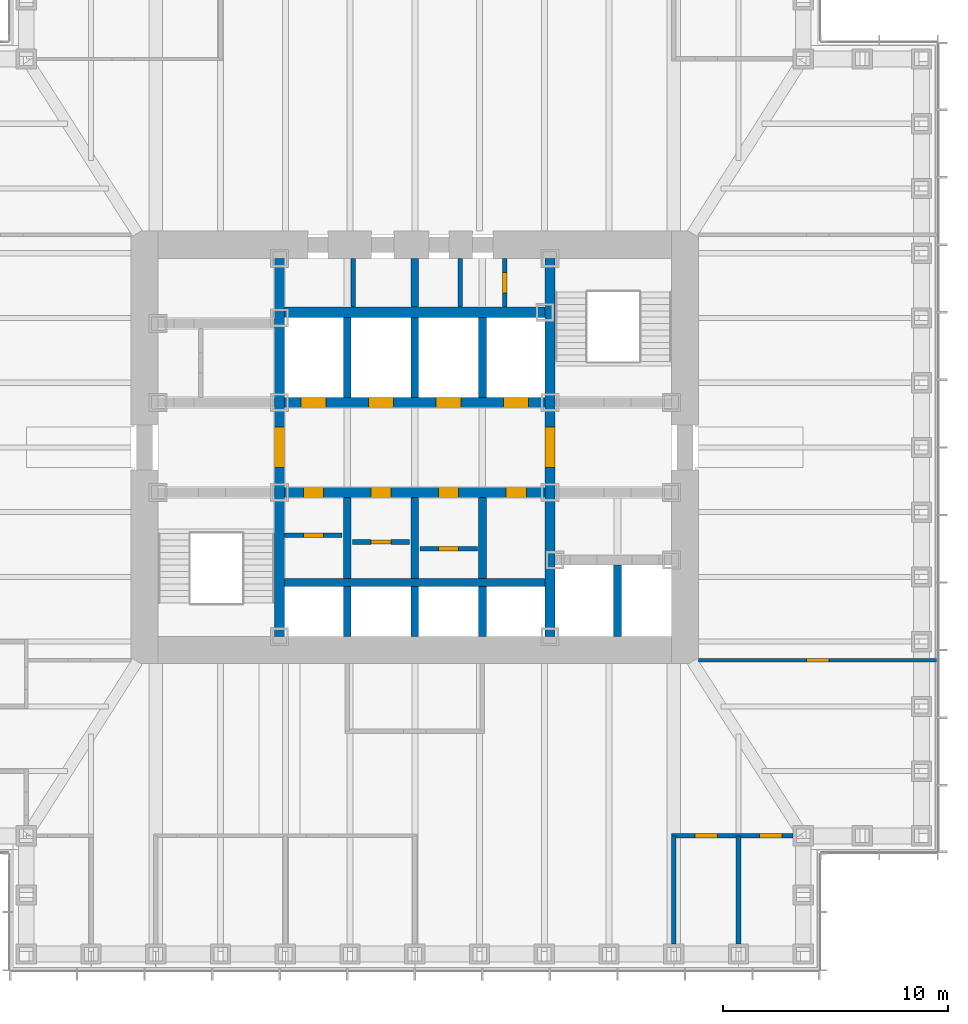
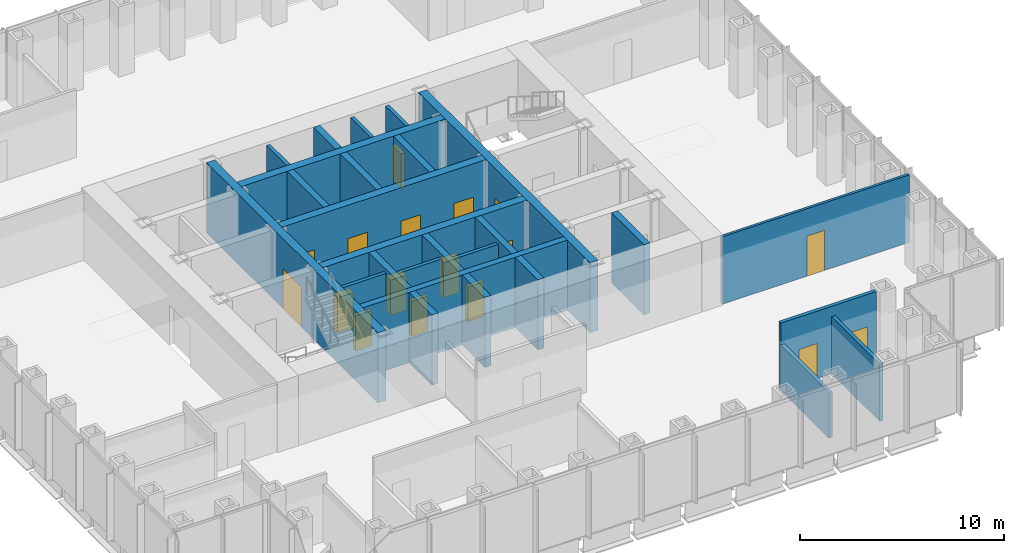
# One storey, part 9 of 16: 27 walls, 17 doors, 17 openings.
"""IFC4 building model written with IfcOpenShell, lengths in metres."""

from ifc_helpers import new_model, si_unit, direction, frame, frame_2d, origin, place, context, subcontext, project, spatial, rectangle, extrude, material, layer, layer_set, type_object, element, fill, save


model = new_model("IFC4")

# Units and contexts
model_context = context("Model", 3, precision=1e-05, world=origin(), true_north=direction((0.0, 1.0)))
body_context = subcontext(model_context, "Body", "Model", "MODEL_VIEW")
ifc_project = project(units=[si_unit("LENGTHUNIT", "METRE"), si_unit("AREAUNIT", "SQUARE_METRE"), si_unit("VOLUMEUNIT", "CUBIC_METRE"), si_unit("PLANEANGLEUNIT", "RADIAN"), si_unit("MASSUNIT", "GRAM", prefix="KILO")], contexts=[model_context])

# Site, building, storey
site_placement = place(None, origin())
site = spatial("IfcSite", under=ifc_project, at=site_placement, CompositionType="ELEMENT")
building_placement = place(site_placement, origin())
building = spatial("IfcBuilding", under=site, at=building_placement, Name="Daluyong Arena Tower", CompositionType="ELEMENT")
storey_placement = place(building_placement, frame((0.0, 0.0, 116.5)))
storey = spatial("IfcBuildingStorey", under=building, at=storey_placement, Name="L25", CompositionType="ELEMENT", Elevation=116.5)

# Wall, opening, door
ifc_material_1 = material(Name="Concrete fc' 45 MPa", Category="concrete")
ifc_layer_1 = layer(ifc_material_1, 0.449951171875)
ifc_layer_set_1 = layer_set([ifc_layer_1], Name="Concrete fc' 45 MPa")
wall_type_1 = type_object("IfcWallType", Name="Core inner wall 450", PredefinedType="SHEAR", material=ifc_layer_set_1)
wall_1_placement = place(storey_placement, frame((50.0, 71.60009765625, 0.0), z_axis=(0.0, 0.0, 1.0), x_axis=(0.0, 1.0, 0.0)))
wall_1 = element("IfcWall", 1, at=wall_1_placement, inside=storey, type_object=wall_type_1, Name="core inner wall at L25", PredefinedType="SHEAR", context=body_context, shape_type="SweptSolid", body=[
    extrude(rectangle(XDim=16.7998046875, YDim=0.449951171875, at=frame_2d((8.39990234375, 0.0))), origin(), (0.0, 0.0, 1.0), 4.199951171875),
])
opening_1_placement = place(wall_1_placement, frame((7.5, 0.0, 0.0)))
opening_1 = element("IfcOpeningElement", 2, at=opening_1_placement, cuts=wall_1, Name="Opening 25020", PredefinedType="OPENING", context=body_context, shape_type="SweptSolid", body=[
    extrude(rectangle(XDim=1.800048828125, YDim=2.39990234375, at=frame_2d((0.89990234375, 1.199951171875))), frame((0.0, 0.23486328125, 0.0), z_axis=(0.0, -1.0, 0.0), x_axis=(1.0, 0.0, 0.0)), (0.0, 0.0, 1.0), 0.469970703125),
])
ifc_material_2 = material(Name="Steel door, fire rated", Category="steel")
door_type_1 = type_object("IfcDoorType", Name="Lift lobby opening door 1800", OperationType="DOUBLE_DOOR_SINGLE_SWING", PredefinedType="DOOR", material=ifc_material_2)
door_1_placement = place(opening_1_placement, origin())
door_1 = element("IfcDoor", 3, at=door_1_placement, inside=storey, type_object=door_type_1, Name="lift lobby door west 25020", OperationType="DOUBLE_DOOR_SINGLE_SWING", OverallHeight=2.39990234375, OverallWidth=1.800048828125, PredefinedType="DOOR", context=body_context, shape_type="SweptSolid", body=[
    extrude(rectangle(XDim=1.800048828125, YDim=2.39990234375, at=frame_2d((0.89990234375, 1.199951171875))), frame((0.0, 0.224609375, 0.0), z_axis=(0.0, -1.0, 0.0), x_axis=(1.0, 0.0, 0.0)), (0.0, 0.0, 1.0), 0.449462890625),
])
fill(opening_1, door_1)

wall_2_placement = place(storey_placement, frame((62.0, 71.60009765625, 0.0), z_axis=(0.0, 0.0, 1.0), x_axis=(0.0, 1.0, 0.0)))
wall_2 = element("IfcWall", 4, at=wall_2_placement, inside=storey, type_object=wall_type_1, Name="core inner wall at L25", PredefinedType="SHEAR", context=body_context, shape_type="SweptSolid", body=[
    extrude(rectangle(XDim=16.7998046875, YDim=0.449951171875, at=frame_2d((8.39990234375, 0.0))), origin(), (0.0, 0.0, 1.0), 4.199951171875),
])
opening_2_placement = place(wall_2_placement, frame((7.5, 0.0, 0.0)))
opening_2 = element("IfcOpeningElement", 5, at=opening_2_placement, cuts=wall_2, Name="Opening 25021", PredefinedType="OPENING", context=body_context, shape_type="SweptSolid", body=[
    extrude(rectangle(XDim=1.800048828125, YDim=2.39990234375, at=frame_2d((0.89990234375, 1.199951171875))), frame((0.0, 0.23486328125, 0.0), z_axis=(0.0, -1.0, 0.0), x_axis=(1.0, 0.0, 0.0)), (0.0, 0.0, 1.0), 0.469970703125),
])
door_2_placement = place(opening_2_placement, origin())
door_2 = element("IfcDoor", 6, at=door_2_placement, inside=storey, type_object=door_type_1, Name="lift lobby door east 25021", OperationType="DOUBLE_DOOR_SINGLE_SWING", OverallHeight=2.39990234375, OverallWidth=1.800048828125, PredefinedType="DOOR", context=body_context, shape_type="SweptSolid", body=[
    extrude(rectangle(XDim=1.800048828125, YDim=2.39990234375, at=frame_2d((0.89990234375, 1.199951171875))), frame((0.0, 0.224609375, 0.0), z_axis=(0.0, -1.0, 0.0), x_axis=(1.0, 0.0, 0.0)), (0.0, 0.0, 1.0), 0.449462890625),
])
fill(opening_2, door_2)

# Wall, openings, doors
wall_3_placement = place(storey_placement, frame((50.22509765625, 78.0, 0.0), z_axis=(0.0, 0.0, 1.0), x_axis=(1.0, 0.0, 0.0)))
wall_3 = element("IfcWall", 7, at=wall_3_placement, inside=storey, type_object=wall_type_1, Name="core inner wall at L25", PredefinedType="SHEAR", context=body_context, shape_type="SweptSolid", body=[
    extrude(rectangle(XDim=11.5498046875, YDim=0.449951171875, at=frame_2d((5.77490234375, 0.0))), origin(), (0.0, 0.0, 1.0), 4.199951171875),
])
opening_3_placement = place(wall_3_placement, frame((0.824951171875, 0.0, 0.0)))
opening_3 = element("IfcOpeningElement", 8, at=opening_3_placement, cuts=wall_3, Name="Opening 25009", PredefinedType="OPENING", context=body_context, shape_type="SweptSolid", body=[
    extrude(rectangle(XDim=0.89990234375, YDim=2.10009765625, at=frame_2d((0.449951171875, 1.050048828125))), frame((0.0, 0.23486328125, 0.0), z_axis=(0.0, -1.0, 0.0), x_axis=(1.0, 0.0, 0.0)), (0.0, 0.0, 1.0), 0.469970703125),
])
opening_4_placement = place(wall_3_placement, frame((3.824951171875, 0.0, 0.0)))
opening_4 = element("IfcOpeningElement", 9, at=opening_4_placement, cuts=wall_3, Name="Opening 25011", PredefinedType="OPENING", context=body_context, shape_type="SweptSolid", body=[
    extrude(rectangle(XDim=0.89990234375, YDim=2.10009765625, at=frame_2d((0.449951171875, 1.050048828125))), frame((0.0, 0.23486328125, 0.0), z_axis=(0.0, -1.0, 0.0), x_axis=(1.0, 0.0, 0.0)), (0.0, 0.0, 1.0), 0.469970703125),
])
opening_5_placement = place(wall_3_placement, frame((6.824951171875, 0.0, 0.0)))
opening_5 = element("IfcOpeningElement", 10, at=opening_5_placement, cuts=wall_3, Name="Opening 25013", PredefinedType="OPENING", context=body_context, shape_type="SweptSolid", body=[
    extrude(rectangle(XDim=0.89990234375, YDim=2.10009765625, at=frame_2d((0.449951171875, 1.050048828125))), frame((0.0, 0.23486328125, 0.0), z_axis=(0.0, -1.0, 0.0), x_axis=(1.0, 0.0, 0.0)), (0.0, 0.0, 1.0), 0.469970703125),
])
opening_6_placement = place(wall_3_placement, frame((9.824951171875, 0.0, 0.0)))
opening_6 = element("IfcOpeningElement", 11, at=opening_6_placement, cuts=wall_3, Name="Opening 25015", PredefinedType="OPENING", context=body_context, shape_type="SweptSolid", body=[
    extrude(rectangle(XDim=0.89990234375, YDim=2.10009765625, at=frame_2d((0.449951171875, 1.050048828125))), frame((0.0, 0.23486328125, 0.0), z_axis=(0.0, -1.0, 0.0), x_axis=(1.0, 0.0, 0.0)), (0.0, 0.0, 1.0), 0.469970703125),
])
ifc_material_3 = material(Name="Steel door, fire rated", Category="steel")
door_type_2 = type_object("IfcDoorType", Name="Core room door 900", OperationType="SINGLE_SWING_LEFT", PredefinedType="DOOR", material=ifc_material_3)
door_3_placement = place(opening_6_placement, origin())
door_3 = element("IfcDoor", 12, at=door_3_placement, inside=storey, type_object=door_type_2, Name="print room door 25015", OperationType="SINGLE_SWING_LEFT", OverallHeight=2.10009765625, OverallWidth=0.89990234375, PredefinedType="DOOR", context=body_context, shape_type="SweptSolid", body=[
    extrude(rectangle(XDim=0.89990234375, YDim=2.10009765625, at=frame_2d((0.449951171875, 1.050048828125))), frame((0.0, 0.224609375, 0.0), z_axis=(0.0, -1.0, 0.0), x_axis=(1.0, 0.0, 0.0)), (0.0, 0.0, 1.0), 0.449462890625),
])
fill(opening_6, door_3)
ifc_material_4 = material(Name="Steel door, fire rated", Category="steel")
door_type_3 = type_object("IfcDoorType", Name="Core store door 900", OperationType="SINGLE_SWING_LEFT", PredefinedType="DOOR", material=ifc_material_4)
door_4_placement = place(opening_3_placement, origin())
door_4 = element("IfcDoor", 13, at=door_4_placement, inside=storey, type_object=door_type_3, Name="cleaner's store door 25009", OperationType="SINGLE_SWING_LEFT", OverallHeight=2.10009765625, OverallWidth=0.89990234375, PredefinedType="DOOR", context=body_context, shape_type="SweptSolid", body=[
    extrude(rectangle(XDim=0.89990234375, YDim=2.10009765625, at=frame_2d((0.449951171875, 1.050048828125))), frame((0.0, 0.224609375, 0.0), z_axis=(0.0, -1.0, 0.0), x_axis=(1.0, 0.0, 0.0)), (0.0, 0.0, 1.0), 0.449462890625),
])
fill(opening_3, door_4)
door_5_placement = place(opening_4_placement, origin())
door_5 = element("IfcDoor", 14, at=door_5_placement, inside=storey, type_object=door_type_3, Name="facilities store door 25011", OperationType="SINGLE_SWING_LEFT", OverallHeight=2.10009765625, OverallWidth=0.89990234375, PredefinedType="DOOR", context=body_context, shape_type="SweptSolid", body=[
    extrude(rectangle(XDim=0.89990234375, YDim=2.10009765625, at=frame_2d((0.449951171875, 1.050048828125))), frame((0.0, 0.224609375, 0.0), z_axis=(0.0, -1.0, 0.0), x_axis=(1.0, 0.0, 0.0)), (0.0, 0.0, 1.0), 0.449462890625),
])
fill(opening_4, door_5)
door_6_placement = place(opening_5_placement, origin())
door_6 = element("IfcDoor", 15, at=door_6_placement, inside=storey, type_object=door_type_3, Name="furniture store door 25013", OperationType="SINGLE_SWING_LEFT", OverallHeight=2.10009765625, OverallWidth=0.89990234375, PredefinedType="DOOR", context=body_context, shape_type="SweptSolid", body=[
    extrude(rectangle(XDim=0.89990234375, YDim=2.10009765625, at=frame_2d((0.449951171875, 1.050048828125))), frame((0.0, 0.224609375, 0.0), z_axis=(0.0, -1.0, 0.0), x_axis=(1.0, 0.0, 0.0)), (0.0, 0.0, 1.0), 0.449462890625),
])
fill(opening_5, door_6)

wall_4_placement = place(storey_placement, frame((50.22509765625, 82.0, 0.0), z_axis=(0.0, 0.0, 1.0), x_axis=(1.0, 0.0, 0.0)))
wall_4 = element("IfcWall", 16, at=wall_4_placement, inside=storey, type_object=wall_type_1, Name="core inner wall at L25", PredefinedType="SHEAR", context=body_context, shape_type="SweptSolid", body=[
    extrude(rectangle(XDim=11.5498046875, YDim=0.449951171875, at=frame_2d((5.77490234375, 0.0))), origin(), (0.0, 0.0, 1.0), 4.199951171875),
])
opening_7_placement = place(wall_4_placement, frame((0.72509765625, 0.0, 0.0)))
opening_7 = element("IfcOpeningElement", 17, at=opening_7_placement, cuts=wall_4, Name="Opening 25023", PredefinedType="OPENING", context=body_context, shape_type="SweptSolid", body=[
    extrude(rectangle(XDim=1.10009765625, YDim=2.199951171875, at=frame_2d((0.550048828125, 1.10009765625))), frame((0.0, 0.23486328125, 0.0), z_axis=(0.0, -1.0, 0.0), x_axis=(1.0, 0.0, 0.0)), (0.0, 0.0, 1.0), 0.469970703125),
])
opening_8_placement = place(wall_4_placement, frame((3.72509765625, 0.0, 0.0)))
opening_8 = element("IfcOpeningElement", 18, at=opening_8_placement, cuts=wall_4, Name="Opening 25024", PredefinedType="OPENING", context=body_context, shape_type="SweptSolid", body=[
    extrude(rectangle(XDim=1.10009765625, YDim=2.199951171875, at=frame_2d((0.550048828125, 1.10009765625))), frame((0.0, 0.23486328125, 0.0), z_axis=(0.0, -1.0, 0.0), x_axis=(1.0, 0.0, 0.0)), (0.0, 0.0, 1.0), 0.469970703125),
])
opening_9_placement = place(wall_4_placement, frame((6.72509765625, 0.0, 0.0)))
opening_9 = element("IfcOpeningElement", 19, at=opening_9_placement, cuts=wall_4, Name="Opening 25025", PredefinedType="OPENING", context=body_context, shape_type="SweptSolid", body=[
    extrude(rectangle(XDim=1.10009765625, YDim=2.199951171875, at=frame_2d((0.550048828125, 1.10009765625))), frame((0.0, 0.23486328125, 0.0), z_axis=(0.0, -1.0, 0.0), x_axis=(1.0, 0.0, 0.0)), (0.0, 0.0, 1.0), 0.469970703125),
])
opening_10_placement = place(wall_4_placement, frame((9.72509765625, 0.0, 0.0)))
opening_10 = element("IfcOpeningElement", 20, at=opening_10_placement, cuts=wall_4, Name="Opening 25026", PredefinedType="OPENING", context=body_context, shape_type="SweptSolid", body=[
    extrude(rectangle(XDim=1.10009765625, YDim=2.199951171875, at=frame_2d((0.550048828125, 1.10009765625))), frame((0.0, 0.23486328125, 0.0), z_axis=(0.0, -1.0, 0.0), x_axis=(1.0, 0.0, 0.0)), (0.0, 0.0, 1.0), 0.469970703125),
])
ifc_material_5 = material(Name="Steel door, fire rated", Category="steel")
door_type_4 = type_object("IfcDoorType", Name="Lift landing door 1100", OperationType="SLIDING_TO_LEFT", PredefinedType="DOOR", material=ifc_material_5)
door_7_placement = place(opening_7_placement, origin())
door_7 = element("IfcDoor", 21, at=door_7_placement, inside=storey, type_object=door_type_4, Name="lift landing door B1 25023", OperationType="SLIDING_TO_LEFT", OverallHeight=2.199951171875, OverallWidth=1.10009765625, PredefinedType="DOOR", context=body_context, shape_type="SweptSolid", body=[
    extrude(rectangle(XDim=1.10009765625, YDim=2.199951171875, at=frame_2d((0.550048828125, 1.10009765625))), frame((0.0, 0.224609375, 0.0), z_axis=(0.0, -1.0, 0.0), x_axis=(1.0, 0.0, 0.0)), (0.0, 0.0, 1.0), 0.449462890625),
])
fill(opening_7, door_7)
door_8_placement = place(opening_8_placement, origin())
door_8 = element("IfcDoor", 22, at=door_8_placement, inside=storey, type_object=door_type_4, Name="lift landing door B2 25024", OperationType="SLIDING_TO_LEFT", OverallHeight=2.199951171875, OverallWidth=1.10009765625, PredefinedType="DOOR", context=body_context, shape_type="SweptSolid", body=[
    extrude(rectangle(XDim=1.10009765625, YDim=2.199951171875, at=frame_2d((0.550048828125, 1.10009765625))), frame((0.0, 0.224609375, 0.0), z_axis=(0.0, -1.0, 0.0), x_axis=(1.0, 0.0, 0.0)), (0.0, 0.0, 1.0), 0.449462890625),
])
fill(opening_8, door_8)
door_9_placement = place(opening_9_placement, origin())
door_9 = element("IfcDoor", 23, at=door_9_placement, inside=storey, type_object=door_type_4, Name="lift landing door B3 25025", OperationType="SLIDING_TO_LEFT", OverallHeight=2.199951171875, OverallWidth=1.10009765625, PredefinedType="DOOR", context=body_context, shape_type="SweptSolid", body=[
    extrude(rectangle(XDim=1.10009765625, YDim=2.199951171875, at=frame_2d((0.550048828125, 1.10009765625))), frame((0.0, 0.224609375, 0.0), z_axis=(0.0, -1.0, 0.0), x_axis=(1.0, 0.0, 0.0)), (0.0, 0.0, 1.0), 0.449462890625),
])
fill(opening_9, door_9)
door_10_placement = place(opening_10_placement, origin())
door_10 = element("IfcDoor", 24, at=door_10_placement, inside=storey, type_object=door_type_4, Name="lift landing door B4 25026", OperationType="SLIDING_TO_LEFT", OverallHeight=2.199951171875, OverallWidth=1.10009765625, PredefinedType="DOOR", context=body_context, shape_type="SweptSolid", body=[
    extrude(rectangle(XDim=1.10009765625, YDim=2.199951171875, at=frame_2d((0.550048828125, 1.10009765625))), frame((0.0, 0.224609375, 0.0), z_axis=(0.0, -1.0, 0.0), x_axis=(1.0, 0.0, 0.0)), (0.0, 0.0, 1.0), 0.449462890625),
])
fill(opening_10, door_10)

# Walls
wall_5_placement = place(storey_placement, frame((50.22509765625, 86.0, 0.0), z_axis=(0.0, 0.0, 1.0), x_axis=(1.0, 0.0, 0.0)))
element("IfcWall", 25, at=wall_5_placement, inside=storey, type_object=wall_type_1, Name="core inner wall at L25", PredefinedType="SHEAR", context=body_context, shape_type="SweptSolid", body=[
    extrude(rectangle(XDim=11.5498046875, YDim=0.449951171875, at=frame_2d((5.77490234375, 0.0))), origin(), (0.0, 0.0, 1.0), 4.199951171875),
])
ifc_material_6 = material(Name="Concrete block partition, fire rated", Category="concrete")
ifc_layer_2 = layer(ifc_material_6, 0.199951171875)
ifc_layer_set_2 = layer_set([ifc_layer_2], Name="Concrete block partition, fire rated")
wall_type_2 = type_object("IfcWallType", Name="Fire-rated partition 200", PredefinedType="PARTITIONING", material=ifc_layer_set_2)
wall_6_placement = place(storey_placement, frame((53.27490234375, 86.22509765625, 0.0), z_axis=(0.0, 0.0, 1.0), x_axis=(0.0, 1.0, 0.0)))
element("IfcWall", 26, at=wall_6_placement, inside=storey, type_object=wall_type_2, Name="core room partition at L25", PredefinedType="PARTITIONING", context=body_context, shape_type="SweptSolid", body=[
    extrude(rectangle(XDim=2.1748046875, YDim=0.199951171875, at=frame_2d((1.08740234375, 0.0))), origin(), (0.0, 0.0, 1.0), 4.0400390625),
])

# Wall, opening, door
wall_7_placement = place(storey_placement, frame((60.0, 86.22509765625, 0.0), z_axis=(0.0, 0.0, 1.0), x_axis=(0.0, 1.0, 0.0)))
wall_7 = element("IfcWall", 27, at=wall_7_placement, inside=storey, type_object=wall_type_2, Name="electrical riser enclosure at L25", PredefinedType="PARTITIONING", context=body_context, shape_type="SweptSolid", body=[
    extrude(rectangle(XDim=2.1748046875, YDim=0.199951171875, at=frame_2d((1.08740234375, 0.0))), origin(), (0.0, 0.0, 1.0), 4.0400390625),
])
opening_11_placement = place(wall_7_placement, frame((0.637451171875, 0.0, 0.0)))
opening_11 = element("IfcOpeningElement", 28, at=opening_11_placement, cuts=wall_7, Name="Opening 25008", PredefinedType="OPENING", context=body_context, shape_type="SweptSolid", body=[
    extrude(rectangle(XDim=0.89990234375, YDim=2.10009765625, at=frame_2d((0.449951171875, 1.050048828125))), frame((0.0, 0.10986328125, 0.0), z_axis=(0.0, -1.0, 0.0), x_axis=(1.0, 0.0, 0.0)), (0.0, 0.0, 1.0), 0.219970703125),
])
ifc_material_7 = material(Name="Steel door, fire rated", Category="steel")
door_type_5 = type_object("IfcDoorType", Name="Riser door 900", OperationType="SINGLE_SWING_LEFT", PredefinedType="DOOR", material=ifc_material_7)
door_11_placement = place(opening_11_placement, origin())
door_11 = element("IfcDoor", 29, at=door_11_placement, inside=storey, type_object=door_type_5, Name="riser door 25008", OperationType="SINGLE_SWING_LEFT", OverallHeight=2.10009765625, OverallWidth=0.89990234375, PredefinedType="DOOR", context=body_context, shape_type="SweptSolid", body=[
    extrude(rectangle(XDim=0.89990234375, YDim=2.10009765625, at=frame_2d((0.449951171875, 1.050048828125))), frame((0.0, 0.099609375, 0.0), z_axis=(0.0, -1.0, 0.0), x_axis=(1.0, 0.0, 0.0)), (0.0, 0.0, 1.0), 0.199462890625),
])
fill(opening_11, door_11)

# Wall
wall_8_placement = place(storey_placement, frame((58.02490234375, 86.22509765625, 0.0), z_axis=(0.0, 0.0, 1.0), x_axis=(0.0, 1.0, 0.0)))
element("IfcWall", 30, at=wall_8_placement, inside=storey, type_object=wall_type_2, Name="core room partition at L25", PredefinedType="PARTITIONING", context=body_context, shape_type="SweptSolid", body=[
    extrude(rectangle(XDim=2.1748046875, YDim=0.199951171875, at=frame_2d((1.08740234375, 0.0))), origin(), (0.0, 0.0, 1.0), 4.0400390625),
])

# Wall, opening, door
wall_9_placement = place(storey_placement, frame((50.22509765625, 76.10009765625, 0.0), z_axis=(0.0, 0.0, 1.0), x_axis=(1.0, 0.0, 0.0)))
wall_9 = element("IfcWall", 31, at=wall_9_placement, inside=storey, type_object=wall_type_2, Name="back store partition at L25", PredefinedType="PARTITIONING", context=body_context, shape_type="SweptSolid", body=[
    extrude(rectangle(XDim=2.5498046875, YDim=0.199951171875, at=frame_2d((1.27490234375, 0.0))), origin(), (0.0, 0.0, 1.0), 4.0400390625),
])
opening_12_placement = place(wall_9_placement, frame((0.824951171875, 0.0, 0.0)))
opening_12 = element("IfcOpeningElement", 32, at=opening_12_placement, cuts=wall_9, Name="Opening 25010", PredefinedType="OPENING", context=body_context, shape_type="SweptSolid", body=[
    extrude(rectangle(XDim=0.89990234375, YDim=2.10009765625, at=frame_2d((0.449951171875, 1.050048828125))), frame((0.0, 0.10986328125, 0.0), z_axis=(0.0, -1.0, 0.0), x_axis=(1.0, 0.0, 0.0)), (0.0, 0.0, 1.0), 0.219970703125),
])
door_12_placement = place(opening_12_placement, origin())
door_12 = element("IfcDoor", 33, at=door_12_placement, inside=storey, type_object=door_type_3, Name="stationery store door 25010", OperationType="SINGLE_SWING_LEFT", OverallHeight=2.10009765625, OverallWidth=0.89990234375, PredefinedType="DOOR", context=body_context, shape_type="SweptSolid", body=[
    extrude(rectangle(XDim=0.89990234375, YDim=2.10009765625, at=frame_2d((0.449951171875, 1.050048828125))), frame((0.0, 0.099609375, 0.0), z_axis=(0.0, -1.0, 0.0), x_axis=(1.0, 0.0, 0.0)), (0.0, 0.0, 1.0), 0.199462890625),
])
fill(opening_12, door_12)

wall_10_placement = place(storey_placement, frame((53.22509765625, 75.800048828125, 0.0), z_axis=(0.0, 0.0, 1.0), x_axis=(1.0, 0.0, 0.0)))
wall_10 = element("IfcWall", 34, at=wall_10_placement, inside=storey, type_object=wall_type_2, Name="back store partition at L25", PredefinedType="PARTITIONING", context=body_context, shape_type="SweptSolid", body=[
    extrude(rectangle(XDim=2.5498046875, YDim=0.199951171875, at=frame_2d((1.27490234375, 0.0))), origin(), (0.0, 0.0, 1.0), 4.0400390625),
])
opening_13_placement = place(wall_10_placement, frame((0.824951171875, 0.0, 0.0)))
opening_13 = element("IfcOpeningElement", 35, at=opening_13_placement, cuts=wall_10, Name="Opening 25012", PredefinedType="OPENING", context=body_context, shape_type="SweptSolid", body=[
    extrude(rectangle(XDim=0.89990234375, YDim=2.10009765625, at=frame_2d((0.449951171875, 1.050048828125))), frame((0.0, 0.10986328125, 0.0), z_axis=(0.0, -1.0, 0.0), x_axis=(1.0, 0.0, 0.0)), (0.0, 0.0, 1.0), 0.219970703125),
])
door_13_placement = place(opening_13_placement, origin())
door_13 = element("IfcDoor", 36, at=door_13_placement, inside=storey, type_object=door_type_3, Name="security store door 25012", OperationType="SINGLE_SWING_LEFT", OverallHeight=2.10009765625, OverallWidth=0.89990234375, PredefinedType="DOOR", context=body_context, shape_type="SweptSolid", body=[
    extrude(rectangle(XDim=0.89990234375, YDim=2.10009765625, at=frame_2d((0.449951171875, 1.050048828125))), frame((0.0, 0.099609375, 0.0), z_axis=(0.0, -1.0, 0.0), x_axis=(1.0, 0.0, 0.0)), (0.0, 0.0, 1.0), 0.199462890625),
])
fill(opening_13, door_13)

wall_11_placement = place(storey_placement, frame((56.22509765625, 75.5, 0.0), z_axis=(0.0, 0.0, 1.0), x_axis=(1.0, 0.0, 0.0)))
wall_11 = element("IfcWall", 37, at=wall_11_placement, inside=storey, type_object=wall_type_2, Name="back store partition at L25", PredefinedType="PARTITIONING", context=body_context, shape_type="SweptSolid", body=[
    extrude(rectangle(XDim=2.5498046875, YDim=0.199951171875, at=frame_2d((1.27490234375, 0.0))), origin(), (0.0, 0.0, 1.0), 4.0400390625),
])
opening_14_placement = place(wall_11_placement, frame((0.824951171875, 0.0, 0.0)))
opening_14 = element("IfcOpeningElement", 38, at=opening_14_placement, cuts=wall_11, Name="Opening 25014", PredefinedType="OPENING", context=body_context, shape_type="SweptSolid", body=[
    extrude(rectangle(XDim=0.89990234375, YDim=2.10009765625, at=frame_2d((0.449951171875, 1.050048828125))), frame((0.0, 0.10986328125, 0.0), z_axis=(0.0, -1.0, 0.0), x_axis=(1.0, 0.0, 0.0)), (0.0, 0.0, 1.0), 0.219970703125),
])
door_14_placement = place(opening_14_placement, origin())
door_14 = element("IfcDoor", 39, at=door_14_placement, inside=storey, type_object=door_type_3, Name="archive store door 25014", OperationType="SINGLE_SWING_LEFT", OverallHeight=2.10009765625, OverallWidth=0.89990234375, PredefinedType="DOOR", context=body_context, shape_type="SweptSolid", body=[
    extrude(rectangle(XDim=0.89990234375, YDim=2.10009765625, at=frame_2d((0.449951171875, 1.050048828125))), frame((0.0, 0.099609375, 0.0), z_axis=(0.0, -1.0, 0.0), x_axis=(1.0, 0.0, 0.0)), (0.0, 0.0, 1.0), 0.199462890625),
])
fill(opening_14, door_14)

ifc_material_8 = material(Name="Glazed aluminium partition", Category="aluminium")
ifc_layer_3 = layer(ifc_material_8, 0.14990234375)
ifc_layer_set_3 = layer_set([ifc_layer_3], Name="Glazed aluminium partition")
wall_type_3 = type_object("IfcWallType", Name="Glazed partition 150", PredefinedType="PARTITIONING", material=ifc_layer_set_3)
wall_12_placement = place(storey_placement, frame((68.60009765625, 70.550048828125, 0.0), z_axis=(0.0, 0.0, 1.0), x_axis=(1.0, 0.0, 0.0)))
wall_12 = element("IfcWall", 40, at=wall_12_placement, inside=storey, type_object=wall_type_3, Name="glazed partition at L25", PredefinedType="PARTITIONING", context=body_context, shape_type="SweptSolid", body=[
    extrude(rectangle(XDim=10.58984375, YDim=0.14990234375, at=frame_2d((5.294921875, 0.0))), origin(), (0.0, 0.0, 1.0), 4.0400390625),
])
opening_15_placement = place(wall_12_placement, frame((4.794921875, 0.0, 0.0)))
opening_15 = element("IfcOpeningElement", 41, at=opening_15_placement, cuts=wall_12, Name="Opening 25041", PredefinedType="OPENING", context=body_context, shape_type="SweptSolid", body=[
    extrude(rectangle(XDim=1.0, YDim=2.39990234375, at=frame_2d((0.5, 1.199951171875))), frame((0.0, 0.0849609375, 0.0), z_axis=(0.0, -1.0, 0.0), x_axis=(1.0, 0.0, 0.0)), (0.0, 0.0, 1.0), 0.169921875),
])
ifc_material_9 = material(Name="Glazed aluminium door", Category="aluminium")
door_type_6 = type_object("IfcDoorType", Name="Meeting room glazed door 1000", OperationType="SINGLE_SWING_RIGHT", PredefinedType="DOOR", material=ifc_material_9)
door_15_placement = place(opening_15_placement, origin())
door_15 = element("IfcDoor", 42, at=door_15_placement, inside=storey, type_object=door_type_6, Name="team area screen door 25041", OperationType="SINGLE_SWING_RIGHT", OverallHeight=2.39990234375, OverallWidth=1.0, PredefinedType="DOOR", context=body_context, shape_type="SweptSolid", body=[
    extrude(rectangle(XDim=1.0, YDim=2.39990234375, at=frame_2d((0.5, 1.199951171875))), frame((0.0, 0.07470703125, 0.0), z_axis=(0.0, -1.0, 0.0), x_axis=(1.0, 0.0, 0.0)), (0.0, 0.0, 1.0), 0.1494140625),
])
fill(opening_15, door_15)

# Walls
ifc_material_10 = material(Name="Concrete fc' 45 MPa", Category="concrete")
ifc_layer_4 = layer(ifc_material_10, 0.35009765625)
ifc_layer_set_4 = layer_set([ifc_layer_4], Name="Concrete fc' 45 MPa")
wall_type_4 = type_object("IfcWallType", Name="Lift shaft wall 350", PredefinedType="SHEAR", material=ifc_layer_set_4)
wall_13_placement = place(storey_placement, frame((50.22509765625, 74.0, 0.0), z_axis=(0.0, 0.0, 1.0), x_axis=(1.0, 0.0, 0.0)))
element("IfcWall", 43, at=wall_13_placement, inside=storey, type_object=wall_type_4, Name="lift shaft wall at L25", PredefinedType="SHEAR", context=body_context, shape_type="SweptSolid", body=[
    extrude(rectangle(XDim=11.5498046875, YDim=0.35009765625, at=frame_2d((5.77490234375, 0.0))), origin(), (0.0, 0.0, 1.0), 4.199951171875),
])
wall_14_placement = place(storey_placement, frame((53.0, 71.60009765625, 0.0), z_axis=(0.0, 0.0, 1.0), x_axis=(0.0, 1.0, 0.0)))
element("IfcWall", 44, at=wall_14_placement, inside=storey, type_object=wall_type_4, Name="lift shaft wall at L25", PredefinedType="SHEAR", context=body_context, shape_type="SweptSolid", body=[
    extrude(rectangle(XDim=2.224853515625, YDim=0.35009765625, at=frame_2d((1.1123046875, 0.0))), origin(), (0.0, 0.0, 1.0), 4.199951171875),
])
wall_15_placement = place(storey_placement, frame((53.0, 74.175048828125, 0.0), z_axis=(0.0, 0.0, 1.0), x_axis=(0.0, 1.0, 0.0)))
element("IfcWall", 45, at=wall_15_placement, inside=storey, type_object=wall_type_4, Name="lift shaft wall at L25", PredefinedType="SHEAR", context=body_context, shape_type="SweptSolid", body=[
    extrude(rectangle(XDim=3.599853515625, YDim=0.35009765625, at=frame_2d((1.7998046875, 0.0))), origin(), (0.0, 0.0, 1.0), 4.199951171875),
])
wall_16_placement = place(storey_placement, frame((53.0, 82.22509765625, 0.0), z_axis=(0.0, 0.0, 1.0), x_axis=(0.0, 1.0, 0.0)))
element("IfcWall", 46, at=wall_16_placement, inside=storey, type_object=wall_type_4, Name="lift shaft wall at L25", PredefinedType="SHEAR", context=body_context, shape_type="SweptSolid", body=[
    extrude(rectangle(XDim=3.5498046875, YDim=0.35009765625, at=frame_2d((1.77490234375, 0.0))), origin(), (0.0, 0.0, 1.0), 4.199951171875),
])
wall_17_placement = place(storey_placement, frame((56.0, 71.60009765625, 0.0), z_axis=(0.0, 0.0, 1.0), x_axis=(0.0, 1.0, 0.0)))
element("IfcWall", 47, at=wall_17_placement, inside=storey, type_object=wall_type_4, Name="lift shaft wall at L25", PredefinedType="SHEAR", context=body_context, shape_type="SweptSolid", body=[
    extrude(rectangle(XDim=2.224853515625, YDim=0.35009765625, at=frame_2d((1.1123046875, 0.0))), origin(), (0.0, 0.0, 1.0), 4.199951171875),
])
wall_18_placement = place(storey_placement, frame((56.0, 74.175048828125, 0.0), z_axis=(0.0, 0.0, 1.0), x_axis=(0.0, 1.0, 0.0)))
element("IfcWall", 48, at=wall_18_placement, inside=storey, type_object=wall_type_4, Name="lift shaft wall at L25", PredefinedType="SHEAR", context=body_context, shape_type="SweptSolid", body=[
    extrude(rectangle(XDim=3.599853515625, YDim=0.35009765625, at=frame_2d((1.7998046875, 0.0))), origin(), (0.0, 0.0, 1.0), 4.199951171875),
])
wall_19_placement = place(storey_placement, frame((56.0, 82.22509765625, 0.0), z_axis=(0.0, 0.0, 1.0), x_axis=(0.0, 1.0, 0.0)))
element("IfcWall", 49, at=wall_19_placement, inside=storey, type_object=wall_type_4, Name="lift shaft wall at L25", PredefinedType="SHEAR", context=body_context, shape_type="SweptSolid", body=[
    extrude(rectangle(XDim=3.5498046875, YDim=0.35009765625, at=frame_2d((1.77490234375, 0.0))), origin(), (0.0, 0.0, 1.0), 4.199951171875),
])
wall_20_placement = place(storey_placement, frame((59.0, 71.60009765625, 0.0), z_axis=(0.0, 0.0, 1.0), x_axis=(0.0, 1.0, 0.0)))
element("IfcWall", 50, at=wall_20_placement, inside=storey, type_object=wall_type_4, Name="lift shaft wall at L25", PredefinedType="SHEAR", context=body_context, shape_type="SweptSolid", body=[
    extrude(rectangle(XDim=2.224853515625, YDim=0.35009765625, at=frame_2d((1.1123046875, 0.0))), origin(), (0.0, 0.0, 1.0), 4.199951171875),
])
wall_21_placement = place(storey_placement, frame((59.0, 74.175048828125, 0.0), z_axis=(0.0, 0.0, 1.0), x_axis=(0.0, 1.0, 0.0)))
element("IfcWall", 51, at=wall_21_placement, inside=storey, type_object=wall_type_4, Name="lift shaft wall at L25", PredefinedType="SHEAR", context=body_context, shape_type="SweptSolid", body=[
    extrude(rectangle(XDim=3.599853515625, YDim=0.35009765625, at=frame_2d((1.7998046875, 0.0))), origin(), (0.0, 0.0, 1.0), 4.199951171875),
])
wall_22_placement = place(storey_placement, frame((59.0, 82.22509765625, 0.0), z_axis=(0.0, 0.0, 1.0), x_axis=(0.0, 1.0, 0.0)))
element("IfcWall", 52, at=wall_22_placement, inside=storey, type_object=wall_type_4, Name="lift shaft wall at L25", PredefinedType="SHEAR", context=body_context, shape_type="SweptSolid", body=[
    extrude(rectangle(XDim=3.5498046875, YDim=0.35009765625, at=frame_2d((1.77490234375, 0.0))), origin(), (0.0, 0.0, 1.0), 4.199951171875),
])
wall_23_placement = place(storey_placement, frame((65.0, 71.60009765625, 0.0), z_axis=(0.0, 0.0, 1.0), x_axis=(0.0, 1.0, 0.0)))
element("IfcWall", 53, at=wall_23_placement, inside=storey, type_object=wall_type_4, Name="lift shaft wall at L25", PredefinedType="SHEAR", context=body_context, shape_type="SweptSolid", body=[
    extrude(rectangle(XDim=3.1748046875, YDim=0.35009765625, at=frame_2d((1.58740234375, 0.0))), origin(), (0.0, 0.0, 1.0), 4.199951171875),
])
wall_24_placement = place(storey_placement, frame((56.0, 86.22509765625, 0.0), z_axis=(0.0, 0.0, 1.0), x_axis=(0.0, 1.0, 0.0)))
element("IfcWall", 54, at=wall_24_placement, inside=storey, type_object=wall_type_4, Name="lift shaft wall at L25", PredefinedType="SHEAR", context=body_context, shape_type="SweptSolid", body=[
    extrude(rectangle(XDim=2.1748046875, YDim=0.35009765625, at=frame_2d((1.08740234375, 0.0))), origin(), (0.0, 0.0, 1.0), 4.199951171875),
])
ifc_material_11 = material(Name="Concrete block partition", Category="concrete")
ifc_layer_5 = layer(ifc_material_11, 0.199951171875)
ifc_layer_set_5 = layer_set([ifc_layer_5], Name="Concrete block partition")
wall_type_5 = type_object("IfcWallType", Name="Partition 200", PredefinedType="PARTITIONING", material=ifc_layer_set_5)
wall_25_placement = place(storey_placement, frame((67.5, 57.949951171875, 0.0), z_axis=(0.0, 0.0, 1.0), x_axis=(0.0, 1.0, 0.0)))
element("IfcWall", 55, at=wall_25_placement, inside=storey, type_object=wall_type_5, Name="partition at L25", PredefinedType="PARTITIONING", context=body_context, shape_type="SweptSolid", body=[
    extrude(rectangle(XDim=4.800048828125, YDim=0.199951171875, at=frame_2d((2.39990234375, 0.0))), origin(), (0.0, 0.0, 1.0), 2.739990234375),
])
wall_26_placement = place(storey_placement, frame((70.375, 57.949951171875, 0.0), z_axis=(0.0, 0.0, 1.0), x_axis=(0.0, 1.0, 0.0)))
element("IfcWall", 56, at=wall_26_placement, inside=storey, type_object=wall_type_5, Name="partition at L25", PredefinedType="PARTITIONING", context=body_context, shape_type="SweptSolid", body=[
    extrude(rectangle(XDim=4.800048828125, YDim=0.199951171875, at=frame_2d((2.39990234375, 0.0))), origin(), (0.0, 0.0, 1.0), 3.427978515625),
])

# Wall, openings, doors
wall_27_placement = place(storey_placement, frame((67.39990234375, 62.75, 0.0), z_axis=(0.0, 0.0, 1.0), x_axis=(1.0, 0.0, 0.0)))
wall_27 = element("IfcWall", 57, at=wall_27_placement, inside=storey, type_object=wall_type_5, Name="partition at L25", PredefinedType="PARTITIONING", context=body_context, shape_type="SweptSolid", body=[
    extrude(rectangle(XDim=5.400146484375, YDim=0.199951171875, at=frame_2d((2.7001953125, 0.0))), origin(), (0.0, 0.0, 1.0), 4.0400390625),
])
opening_16_placement = place(wall_27_placement, frame((1.03759765625, 0.0, 0.0)))
opening_16 = element("IfcOpeningElement", 58, at=opening_16_placement, cuts=wall_27, Name="Opening 25032", PredefinedType="OPENING", context=body_context, shape_type="SweptSolid", body=[
    extrude(rectangle(XDim=1.0, YDim=2.10009765625, at=frame_2d((0.5, 1.050048828125))), frame((0.0, 0.10986328125, 0.0), z_axis=(0.0, -1.0, 0.0), x_axis=(1.0, 0.0, 0.0)), (0.0, 0.0, 1.0), 0.219970703125),
])
opening_17_placement = place(wall_27_placement, frame((3.91259765625, 0.0, 0.0)))
opening_17 = element("IfcOpeningElement", 59, at=opening_17_placement, cuts=wall_27, Name="Opening 25033", PredefinedType="OPENING", context=body_context, shape_type="SweptSolid", body=[
    extrude(rectangle(XDim=1.0, YDim=2.10009765625, at=frame_2d((0.5, 1.050048828125))), frame((0.0, 0.10986328125, 0.0), z_axis=(0.0, -1.0, 0.0), x_axis=(1.0, 0.0, 0.0)), (0.0, 0.0, 1.0), 0.219970703125),
])
ifc_material_12 = material(Name="Timber door", Category="wood")
door_type_7 = type_object("IfcDoorType", Name="Room door 1000", OperationType="SINGLE_SWING_LEFT", PredefinedType="DOOR", material=ifc_material_12)
door_16_placement = place(opening_16_placement, origin())
door_16 = element("IfcDoor", 60, at=door_16_placement, inside=storey, type_object=door_type_7, Name="wellness room door 25032", OperationType="SINGLE_SWING_LEFT", OverallHeight=2.10009765625, OverallWidth=1.0, PredefinedType="DOOR", context=body_context, shape_type="SweptSolid", body=[
    extrude(rectangle(XDim=1.0, YDim=2.10009765625, at=frame_2d((0.5, 1.050048828125))), frame((0.0, 0.099609375, 0.0), z_axis=(0.0, -1.0, 0.0), x_axis=(1.0, 0.0, 0.0)), (0.0, 0.0, 1.0), 0.199462890625),
])
fill(opening_16, door_16)
door_17_placement = place(opening_17_placement, origin())
door_17 = element("IfcDoor", 61, at=door_17_placement, inside=storey, type_object=door_type_7, Name="wellness room door 25033", OperationType="SINGLE_SWING_LEFT", OverallHeight=2.10009765625, OverallWidth=1.0, PredefinedType="DOOR", context=body_context, shape_type="SweptSolid", body=[
    extrude(rectangle(XDim=1.0, YDim=2.10009765625, at=frame_2d((0.5, 1.050048828125))), frame((0.0, 0.099609375, 0.0), z_axis=(0.0, -1.0, 0.0), x_axis=(1.0, 0.0, 0.0)), (0.0, 0.0, 1.0), 0.199462890625),
])
fill(opening_17, door_17)

save(model, "model.ifc")
